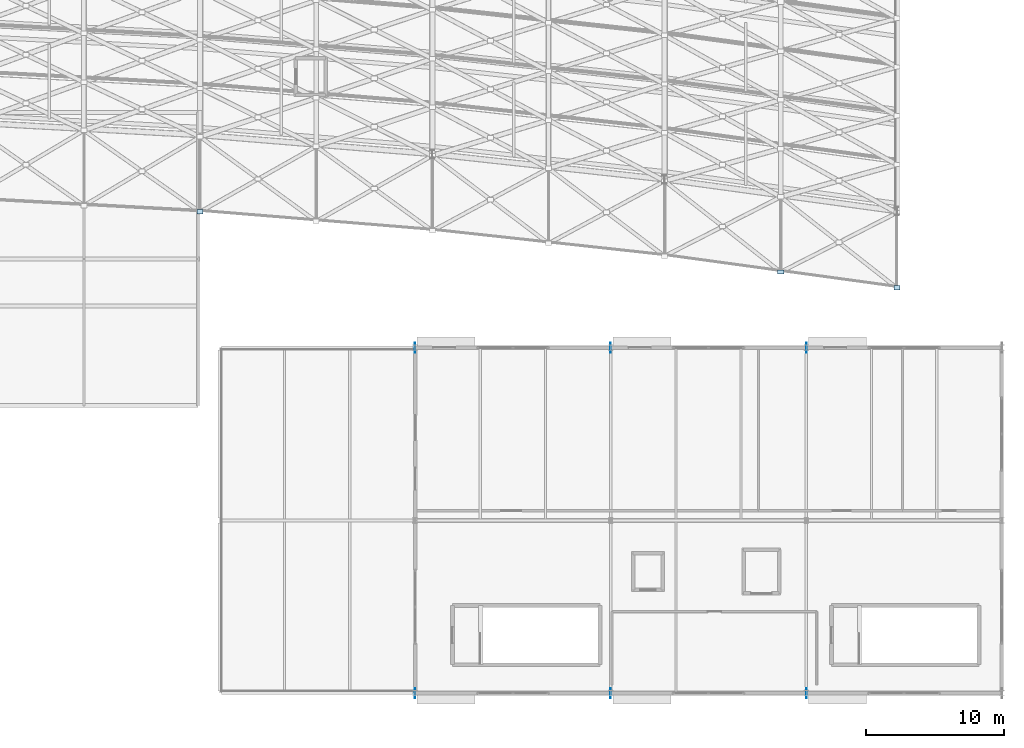
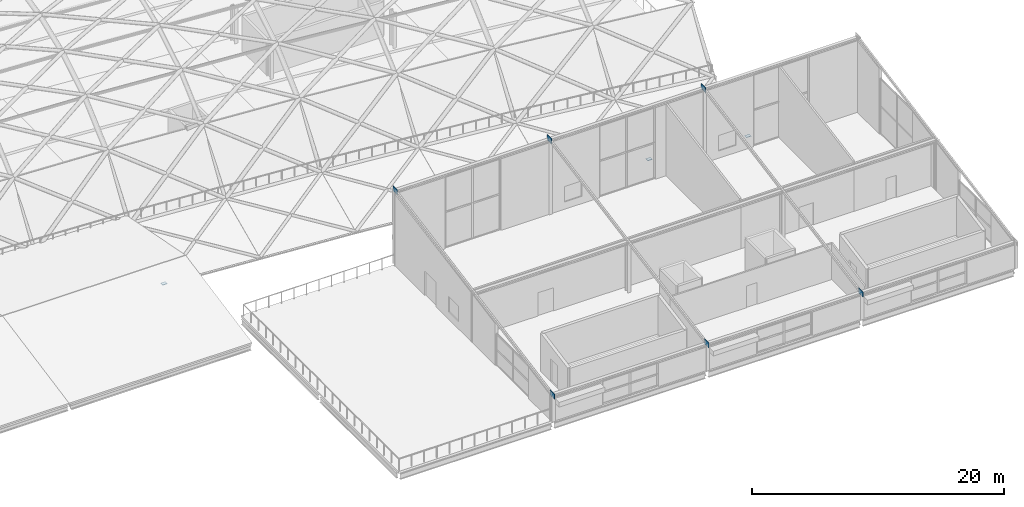
# One storey, part 78 of 100: 9 plates.
"""IFC4 building model written with IfcOpenShell, lengths in metres."""

from ifc_helpers import new_model, si_unit, direction, frame, origin, origin_2d, place, context, subcontext, project, spatial, rectangle, extrude, material, layer, layer_set, type_object, element, save


model = new_model("IFC4")

# Units and contexts
model_context = context("Model", 3, precision=1e-05, world=origin(), true_north=direction((0.0, 1.0)))
body_context = subcontext(model_context, "Body", "Model", "MODEL_VIEW")
ifc_project = project(units=[si_unit("LENGTHUNIT", "METRE"), si_unit("AREAUNIT", "SQUARE_METRE"), si_unit("VOLUMEUNIT", "CUBIC_METRE"), si_unit("PLANEANGLEUNIT", "RADIAN"), si_unit("MASSUNIT", "GRAM", prefix="KILO")], contexts=[model_context])

# Site, building, storey
site_placement = place(None, origin())
site = spatial("IfcSite", under=ifc_project, at=site_placement, CompositionType="ELEMENT")
building_placement = place(site_placement, origin())
building = spatial("IfcBuilding", under=site, at=building_placement, Name="Kimbaza Rail Terminus", CompositionType="ELEMENT")
storey_placement = place(building_placement, frame((0.0, 0.0, 10.800048828125)))
storey = spatial("IfcBuildingStorey", under=building, at=storey_placement, Name="L02", CompositionType="ELEMENT", Elevation=10.800048828125)

# Plates
ifc_material_1 = material(Name="Steel S355", Category="steel")
ifc_layer_1 = layer(ifc_material_1, 0.0400390625)
ifc_layer_set_1 = layer_set([ifc_layer_1], Name="Steel S355")
plate_type_1 = type_object("IfcPlateType", Name="STR-PL-NP01", PredefinedType="USERDEFINED", material=ifc_layer_set_1)
for number, where, z_axis, x_axis, name in (
    (1, (156.0, 47.81787109375, -2.392578125), (0.0, 0.0, 1.0), (1.0, 0.0, 0.0), "Vault Node Cap Plate NP-01 VR-16/VA00"),
    (2, (198.0, 43.467041015625, -2.392578125), (0.0, 0.0, 1.0), (1.0, 0.0, 0.0), "Vault Node Cap Plate NP-01 VR-21/VA00"),
    (3, (206.39990234375, 42.318115234375, -2.392578125), (0.0, 0.0, 1.0), (1.0, 0.0, 0.0), "Vault Node Cap Plate NP-01 VR-22/VA00"),
):
    element("IfcPlate", number, at=place(storey_placement, frame(where, z_axis=z_axis, x_axis=x_axis)), inside=storey, type_object=plate_type_1, Name=name, ObjectType="GUSSET PLATE", PredefinedType="USERDEFINED", context=body_context, shape_type="SweptSolid", body=[
        extrude(rectangle(XDim=0.43994140625, YDim=0.320068359375, at=origin_2d()), origin(), (0.0, 0.0, 1.0), 0.0400390625),
    ])
ifc_material_2 = material(Name="Steel S355", Category="steel")
ifc_layer_2 = layer(ifc_material_2, 0.034912109375)
ifc_layer_set_2 = layer_set([ifc_layer_2], Name="Steel S355")
plate_type_2 = type_object("IfcPlateType", Name="STR-PL-WT01", PredefinedType="USERDEFINED", material=ifc_layer_set_2)
for number, where, z_axis, x_axis, name in (
    (4, (171.550048828125, 13.0, 2.280029296875), (0.0, 0.0, 1.0), (1.0, 0.0, 0.0), "Pavilion Rafter Strut End Gusset GP-01 1-S"),
    (5, (171.550048828125, 38.0, 6.929931640625), (0.0, 0.0, 1.0), (1.0, 0.0, 0.0), "Pavilion Rafter Strut End Gusset GP-01 1-N"),
    (6, (185.699951171875, 13.0, 2.280029296875), (0.0, 0.0, 1.0), (1.0, 0.0, 0.0), "Pavilion Rafter Strut End Gusset GP-01 2-S"),
    (7, (185.699951171875, 38.0, 6.929931640625), (0.0, 0.0, 1.0), (1.0, 0.0, 0.0), "Pavilion Rafter Strut End Gusset GP-01 2-N"),
    (8, (199.85009765625, 13.0, 2.280029296875), (0.0, 0.0, 1.0), (1.0, 0.0, 0.0), "Pavilion Rafter Strut End Gusset GP-01 3-S"),
    (9, (199.85009765625, 38.0, 6.929931640625), (0.0, 0.0, 1.0), (1.0, 0.0, 0.0), "Pavilion Rafter Strut End Gusset GP-01 3-N"),
):
    element("IfcPlate", number, at=place(storey_placement, frame(where, z_axis=z_axis, x_axis=x_axis)), inside=storey, type_object=plate_type_2, Name=name, ObjectType="GUSSET PLATE", PredefinedType="USERDEFINED", context=body_context, shape_type="SweptSolid", body=[
        extrude(rectangle(XDim=0.034912109375, YDim=0.719970703125, at=origin_2d()), origin(), (0.0, 0.0, 1.0), 0.5),
    ])

save(model, "model.ifc")
